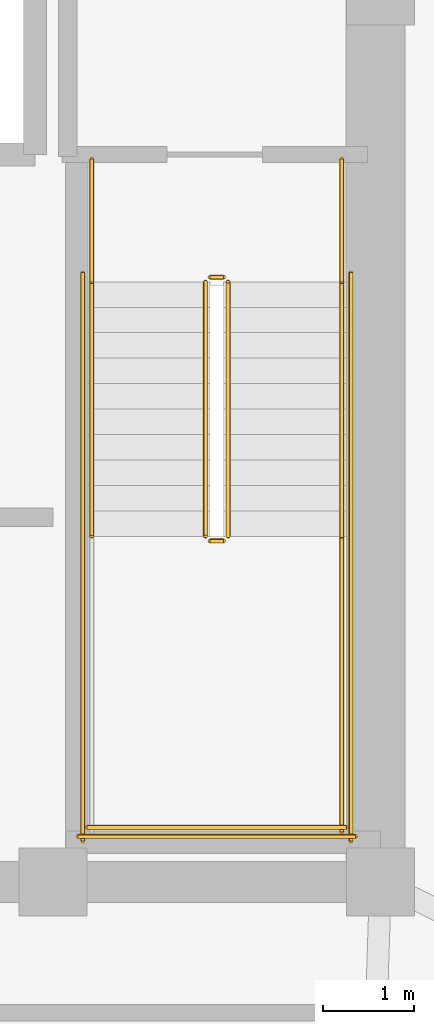
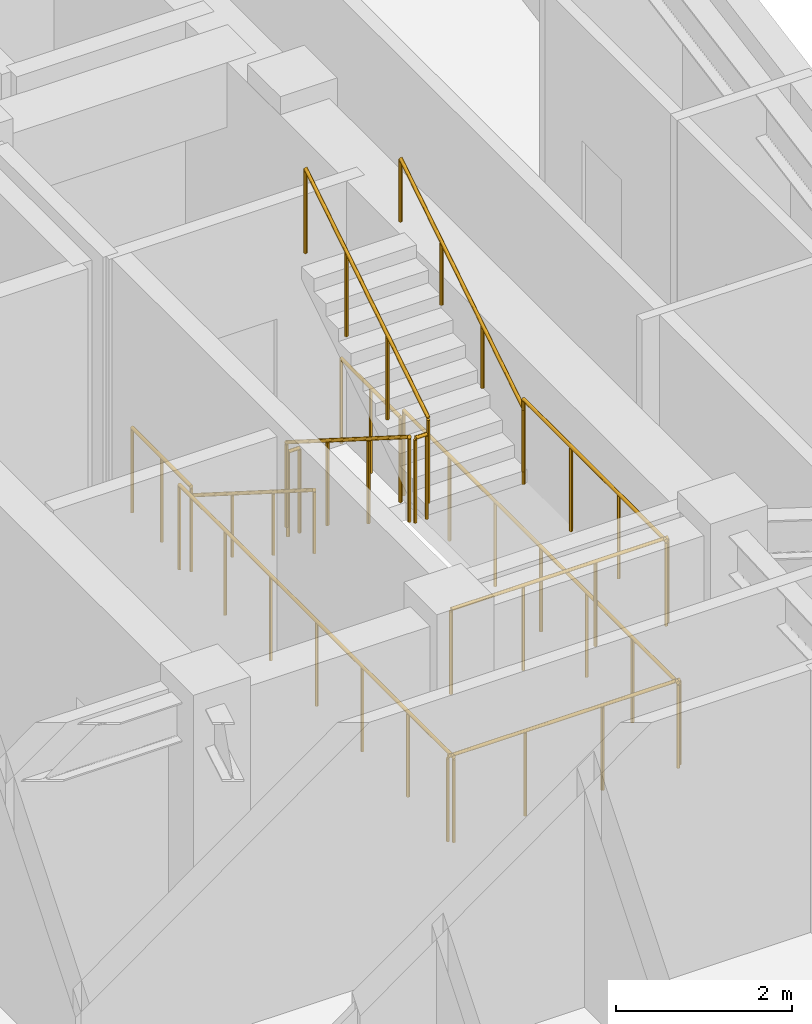
# One storey, part 15 of 15: 13 railings.
"""IFC4 building model written with IfcOpenShell, lengths in metres."""

from ifc_helpers import new_model, si_unit, direction, frame, origin, origin_2d, place, context, subcontext, project, spatial, circle, extrude, material, type_object, element, save


model = new_model("IFC4")

# Units and contexts
model_context = context("Model", 3, precision=1e-05, world=origin(), true_north=direction((0.0, 1.0)))
body_context = subcontext(model_context, "Body", "Model", "MODEL_VIEW")
ifc_project = project(units=[si_unit("LENGTHUNIT", "METRE"), si_unit("AREAUNIT", "SQUARE_METRE"), si_unit("VOLUMEUNIT", "CUBIC_METRE"), si_unit("PLANEANGLEUNIT", "RADIAN"), si_unit("MASSUNIT", "GRAM", prefix="KILO")], contexts=[model_context])

# Site, building, storey
site_placement = place(None, origin())
site = spatial("IfcSite", under=ifc_project, at=site_placement, CompositionType="ELEMENT")
building_placement = place(site_placement, origin())
building = spatial("IfcBuilding", under=site, at=building_placement, Name="Voryun Gate Residences", CompositionType="ELEMENT")
storey_placement = place(building_placement, frame((0.0, 0.0, 263.89990234375)))
storey = spatial("IfcBuildingStorey", under=building, at=storey_placement, Name="L65", CompositionType="ELEMENT", Elevation=263.89990234375)

# Railings
ifc_material_1 = material(Name="Painted steel", Category="steel")
railing_type_1 = type_object("IfcRailingType", Name="RAIL_STAIR_GUARD_1200", PredefinedType="GUARDRAIL", material=ifc_material_1)
railing_1_placement = place(storey_placement, frame((17.27490234375, -0.800048828125, 0.177490234375)))
element("IfcRailing", 1, at=railing_1_placement, inside=storey, type_object=railing_type_1, Name="L65 ST-E1 stair guard 1", PredefinedType="GUARDRAIL", context=body_context, shape_type="SweptSolid", body=[
    extrude(circle(Radius=0.02392578125, at=origin_2d()), frame((0.0, 0.0, 1.17578125), z_axis=(0.0, -0.844908973607, 0.534910110503), x_axis=(1.0, 0.0, 0.0)), (0.0, 0.0, 1.0), 3.31396484375),
    extrude(circle(Radius=0.02099609375, at=origin_2d()), origin(), (0.0, 0.0, 1.0), 1.15185546875),
    extrude(circle(Radius=0.02099609375, at=origin_2d()), frame((0.0, -0.933349609375, 0.5908203125)), (0.0, 0.0, 1.0), 1.15185546875),
    extrude(circle(Radius=0.02099609375, at=origin_2d()), frame((0.0, -1.86669921875, 1.181884765625)), (0.0, 0.0, 1.0), 1.15185546875),
    extrude(circle(Radius=0.02099609375, at=origin_2d()), frame((0.0, -2.800048828125, 1.772705078125)), (0.0, 0.0, 1.0), 1.15185546875),
])
railing_2_placement = place(storey_placement, frame((17.324951171875, -3.64990234375, 1.9501953125)))
element("IfcRailing", 2, at=railing_2_placement, inside=storey, type_object=railing_type_1, Name="L65 ST-E1 stair guard 2", PredefinedType="GUARDRAIL", context=body_context, shape_type="SweptSolid", body=[
    extrude(circle(Radius=0.02392578125, at=origin_2d()), frame((0.0, 0.0, 1.17578125), z_axis=(1.0, 0.0, 0.0), x_axis=(0.0, 1.0, 0.0)), (0.0, 0.0, 1.0), 0.150146484375),
    extrude(circle(Radius=0.02099609375, at=origin_2d()), origin(), (0.0, 0.0, 1.0), 1.15185546875),
    extrude(circle(Radius=0.02099609375, at=origin_2d()), frame((0.150146484375, 0.0, 0.0)), (0.0, 0.0, 1.0), 1.15185546875),
])
railing_3_placement = place(storey_placement, frame((18.77490234375, -3.60009765625, 1.9501953125)))
element("IfcRailing", 3, at=railing_3_placement, inside=storey, type_object=railing_type_1, Name="L65 ST-E1 stair guard 4", PredefinedType="GUARDRAIL", context=body_context, shape_type="SweptSolid", body=[
    extrude(circle(Radius=0.02392578125, at=origin_2d()), frame((0.0, 0.0, 1.17578125), z_axis=(0.0, -1.0, 0.0), x_axis=(1.0, 0.0, 0.0)), (0.0, 0.0, 1.0), 3.25),
    extrude(circle(Radius=0.02099609375, at=origin_2d()), origin(), (0.0, 0.0, 1.0), 1.15185546875),
    extrude(circle(Radius=0.02099609375, at=origin_2d()), frame((0.0, -1.083251953125, 0.0)), (0.0, 0.0, 1.0), 1.15185546875),
    extrude(circle(Radius=0.02099609375, at=origin_2d()), frame((0.0, -2.166748046875, 0.0)), (0.0, 0.0, 1.0), 1.15185546875),
    extrude(circle(Radius=0.02099609375, at=origin_2d()), frame((0.0, -3.25, 0.0)), (0.0, 0.0, 1.0), 1.15185546875),
])
railing_4_placement = place(storey_placement, frame((15.97509765625, -6.800048828125, 1.9501953125)))
element("IfcRailing", 4, at=railing_4_placement, inside=storey, type_object=railing_type_1, Name="L65 ST-E1 stair guard 5", PredefinedType="GUARDRAIL", context=body_context, shape_type="SweptSolid", body=[
    extrude(circle(Radius=0.02392578125, at=origin_2d()), frame((0.0, 0.0, 1.17578125), z_axis=(1.0, 0.0, 0.0), x_axis=(0.0, 1.0, 0.0)), (0.0, 0.0, 1.0), 2.849853515625),
    extrude(circle(Radius=0.02099609375, at=origin_2d()), origin(), (0.0, 0.0, 1.0), 1.15185546875),
    extrude(circle(Radius=0.02099609375, at=origin_2d()), frame((0.949951171875, 0.0, 0.0)), (0.0, 0.0, 1.0), 1.15185546875),
    extrude(circle(Radius=0.02099609375, at=origin_2d()), frame((1.89990234375, 0.0, 0.0)), (0.0, 0.0, 1.0), 1.15185546875),
    extrude(circle(Radius=0.02099609375, at=origin_2d()), frame((2.849853515625, 0.0, 0.0)), (0.0, 0.0, 1.0), 1.15185546875),
])
railing_5_placement = place(storey_placement, frame((17.52490234375, -3.60009765625, 2.12744140625)))
element("IfcRailing", 5, at=railing_5_placement, inside=storey, type_object=railing_type_1, Name="L65 ST-E1 stair guard 6", PredefinedType="GUARDRAIL", context=body_context, shape_type="SweptSolid", body=[
    extrude(circle(Radius=0.02392578125, at=origin_2d()), frame((0.0, 0.0, 1.17578125), z_axis=(0.0, 0.844908973607, 0.534910110503), x_axis=(-1.0, 0.0, 0.0)), (0.0, 0.0, 1.0), 3.31396484375),
    extrude(circle(Radius=0.02099609375, at=origin_2d()), origin(), (0.0, 0.0, 1.0), 1.15185546875),
    extrude(circle(Radius=0.02099609375, at=origin_2d()), frame((0.0, 0.933349609375, 0.5908203125)), (0.0, 0.0, 1.0), 1.15185546875),
    extrude(circle(Radius=0.02099609375, at=origin_2d()), frame((0.0, 1.86669921875, 1.181884765625)), (0.0, 0.0, 1.0), 1.15185546875),
    extrude(circle(Radius=0.02099609375, at=origin_2d()), frame((0.0, 2.800048828125, 1.772705078125)), (0.0, 0.0, 1.0), 1.15185546875),
])
railing_6_placement = place(storey_placement, frame((17.324951171875, -0.75, 0.0)))
element("IfcRailing", 6, at=railing_6_placement, inside=storey, type_object=railing_type_1, Name="L65 ST-E1 stair guard 7", PredefinedType="GUARDRAIL", context=body_context, shape_type="SweptSolid", body=[
    extrude(circle(Radius=0.02392578125, at=origin_2d()), frame((0.0, 0.0, 1.17578125), z_axis=(1.0, 0.0, 0.0), x_axis=(0.0, 1.0, 0.0)), (0.0, 0.0, 1.0), 0.150146484375),
    extrude(circle(Radius=0.02099609375, at=origin_2d()), origin(), (0.0, 0.0, 1.0), 1.15185546875),
    extrude(circle(Radius=0.02099609375, at=origin_2d()), frame((0.150146484375, 0.0, 0.0)), (0.0, 0.0, 1.0), 1.15185546875),
])
for number, where, name in (
    (7, (16.02490234375, 0.550048828125, 0.0), "L65 ST-E1 stair guard 8"),
    (8, (18.77490234375, 0.550048828125, 0.0), "L65 ST-E1 stair guard 9"),
):
    element("IfcRailing", number, at=place(storey_placement, frame(where)), inside=storey, type_object=railing_type_1, Name=name, PredefinedType="GUARDRAIL", context=body_context, shape_type="SweptSolid", body=[
        extrude(circle(Radius=0.02392578125, at=origin_2d()), frame((0.0, 0.0, 1.17578125), z_axis=(0.0, -1.0, 0.0), x_axis=(1.0, 0.0, 0.0)), (0.0, 0.0, 1.0), 1.35009765625),
        extrude(circle(Radius=0.02099609375, at=origin_2d()), origin(), (0.0, 0.0, 1.0), 1.15185546875),
        extrude(circle(Radius=0.02099609375, at=origin_2d()), frame((0.0, -0.675048828125, 0.0)), (0.0, 0.0, 1.0), 1.15185546875),
        extrude(circle(Radius=0.02099609375, at=origin_2d()), frame((0.0, -1.35009765625, 0.0)), (0.0, 0.0, 1.0), 1.15185546875),
    ])
for number, where, name in (
    (9, (15.925048828125, -0.699951171875, 0.0), "L65 ST-E1 stair guard 10"),
    (10, (18.875, -0.699951171875, 0.0), "L65 ST-E1 stair guard 11"),
):
    element("IfcRailing", number, at=place(storey_placement, frame(where)), inside=storey, type_object=railing_type_1, Name=name, PredefinedType="GUARDRAIL", context=body_context, shape_type="SweptSolid", body=[
        extrude(circle(Radius=0.02392578125, at=origin_2d()), frame((0.0, 0.0, 1.17578125), z_axis=(0.0, -1.0, 0.0), x_axis=(1.0, 0.0, 0.0)), (0.0, 0.0, 1.0), 6.25),
        extrude(circle(Radius=0.02099609375, at=origin_2d()), origin(), (0.0, 0.0, 1.0), 1.15185546875),
        extrude(circle(Radius=0.02099609375, at=origin_2d()), frame((0.0, -1.041748046875, 0.0)), (0.0, 0.0, 1.0), 1.15185546875),
        extrude(circle(Radius=0.02099609375, at=origin_2d()), frame((0.0, -2.083251953125, 0.0)), (0.0, 0.0, 1.0), 1.15185546875),
        extrude(circle(Radius=0.02099609375, at=origin_2d()), frame((0.0, -3.125, 0.0)), (0.0, 0.0, 1.0), 1.15185546875),
        extrude(circle(Radius=0.02099609375, at=origin_2d()), frame((0.0, -4.166748046875, 0.0)), (0.0, 0.0, 1.0), 1.15185546875),
        extrude(circle(Radius=0.02099609375, at=origin_2d()), frame((0.0, -5.208251953125, 0.0)), (0.0, 0.0, 1.0), 1.15185546875),
        extrude(circle(Radius=0.02099609375, at=origin_2d()), frame((0.0, -6.25, 0.0)), (0.0, 0.0, 1.0), 1.15185546875),
    ])
railing_7_placement = place(storey_placement, frame((15.875, -6.89990234375, 0.0)))
element("IfcRailing", 11, at=railing_7_placement, inside=storey, type_object=railing_type_1, Name="L65 ST-E1 stair guard 12", PredefinedType="GUARDRAIL", context=body_context, shape_type="SweptSolid", body=[
    extrude(circle(Radius=0.02392578125, at=origin_2d()), frame((0.0, 0.0, 1.17578125), z_axis=(1.0, 0.0, 0.0), x_axis=(0.0, 1.0, 0.0)), (0.0, 0.0, 1.0), 3.050048828125),
    extrude(circle(Radius=0.02099609375, at=origin_2d()), origin(), (0.0, 0.0, 1.0), 1.15185546875),
    extrude(circle(Radius=0.02099609375, at=origin_2d()), frame((1.0166015625, 0.0, 0.0)), (0.0, 0.0, 1.0), 1.15185546875),
    extrude(circle(Radius=0.02099609375, at=origin_2d()), frame((2.033447265625, 0.0, 0.0)), (0.0, 0.0, 1.0), 1.15185546875),
    extrude(circle(Radius=0.02099609375, at=origin_2d()), frame((3.050048828125, 0.0, 0.0)), (0.0, 0.0, 1.0), 1.15185546875),
])
ifc_material_2 = material(Name="Painted steel", Category="steel")
railing_type_2 = type_object("IfcRailingType", Name="RAIL_STAIR_HANDRAIL_900", PredefinedType="HANDRAIL", material=ifc_material_2)
railing_8_placement = place(storey_placement, frame((16.02490234375, -0.800048828125, 0.177490234375)))
element("IfcRailing", 12, at=railing_8_placement, inside=storey, type_object=railing_type_2, Name="L65 ST-E1 stair handrail 1", PredefinedType="HANDRAIL", context=body_context, shape_type="SweptSolid", body=[
    extrude(circle(Radius=0.02392578125, at=origin_2d()), frame((0.0, 0.0, 0.8759765625), z_axis=(0.0, -0.844908973607, 0.534910110503), x_axis=(1.0, 0.0, 0.0)), (0.0, 0.0, 1.0), 3.31396484375),
    extrude(circle(Radius=0.02099609375, at=origin_2d()), origin(), (0.0, 0.0, 1.0), 0.851806640625),
    extrude(circle(Radius=0.02099609375, at=origin_2d()), frame((0.0, -0.933349609375, 0.5908203125)), (0.0, 0.0, 1.0), 0.851806640625),
    extrude(circle(Radius=0.02099609375, at=origin_2d()), frame((0.0, -1.86669921875, 1.181884765625)), (0.0, 0.0, 1.0), 0.851806640625),
    extrude(circle(Radius=0.02099609375, at=origin_2d()), frame((0.0, -2.800048828125, 1.772705078125)), (0.0, 0.0, 1.0), 0.851806640625),
])
railing_9_placement = place(storey_placement, frame((18.77490234375, -3.60009765625, 2.12744140625)))
element("IfcRailing", 13, at=railing_9_placement, inside=storey, type_object=railing_type_2, Name="L65 ST-E1 stair handrail 2", PredefinedType="HANDRAIL", context=body_context, shape_type="SweptSolid", body=[
    extrude(circle(Radius=0.02392578125, at=origin_2d()), frame((0.0, 0.0, 0.8759765625), z_axis=(0.0, 0.844908973607, 0.534910110503), x_axis=(-1.0, 0.0, 0.0)), (0.0, 0.0, 1.0), 3.31396484375),
    extrude(circle(Radius=0.02099609375, at=origin_2d()), origin(), (0.0, 0.0, 1.0), 0.851806640625),
    extrude(circle(Radius=0.02099609375, at=origin_2d()), frame((0.0, 0.933349609375, 0.5908203125)), (0.0, 0.0, 1.0), 0.851806640625),
    extrude(circle(Radius=0.02099609375, at=origin_2d()), frame((0.0, 1.86669921875, 1.181884765625)), (0.0, 0.0, 1.0), 0.851806640625),
    extrude(circle(Radius=0.02099609375, at=origin_2d()), frame((0.0, 2.800048828125, 1.772705078125)), (0.0, 0.0, 1.0), 0.851806640625),
])

save(model, "model.ifc")
